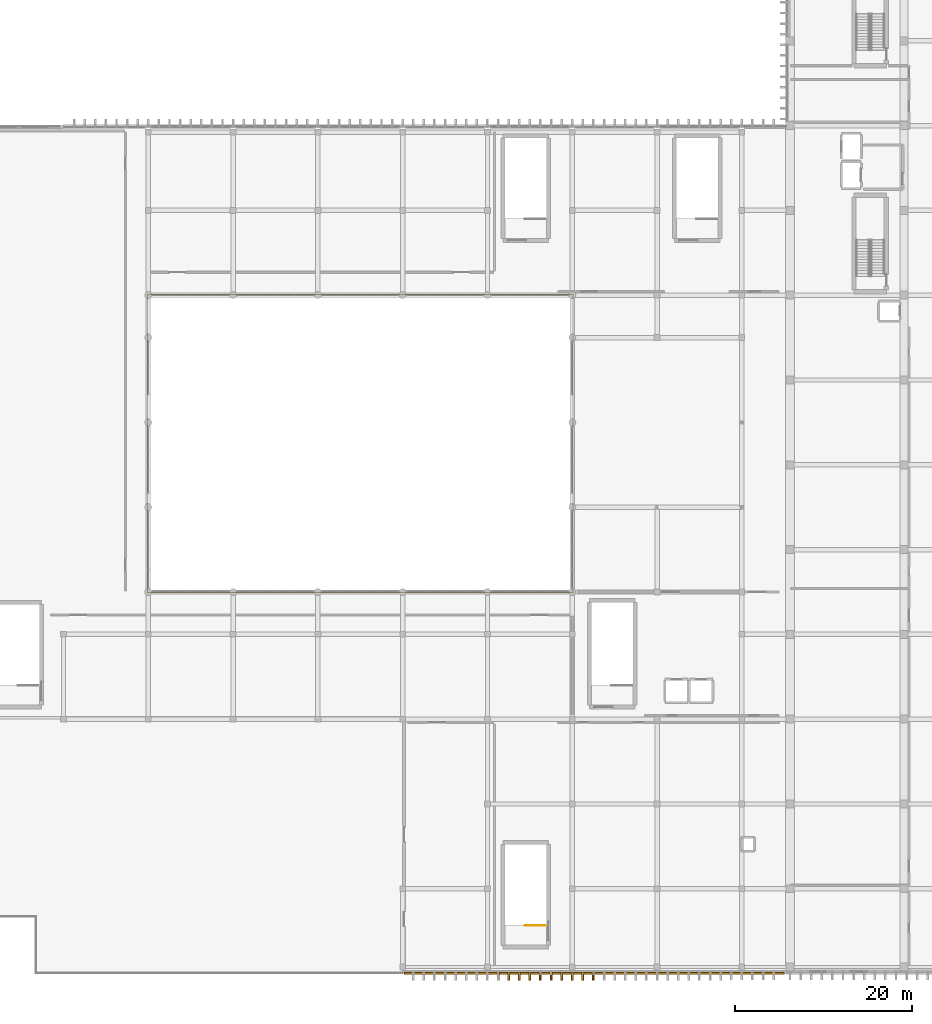
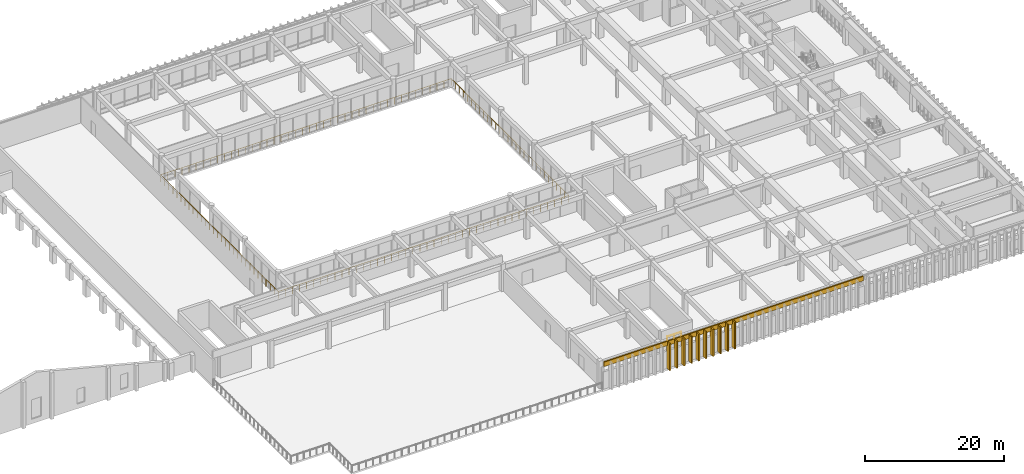
# One storey, part 90 of 101: 11 coverings, 9 shading devices, 2 railings.
"""IFC4 building model written with IfcOpenShell, lengths in metres."""

import ifcopenshell
import ifcopenshell.guid

model = None  # the IFC model being written
_history = None  # IfcOwnerHistory: only IFC2X3 demands one
_inside = {}  # id of a spatial element -> (the spatial element, [elements in it])
_under = {}  # id of a project, library or spatial element -> (it, [spatial elements below it])
_declared = {}  # id of a project -> (the project, [libraries it declares])
_typed = {}  # id of a type object -> (the type object, [elements of that type])
_made_of = {}  # id of a material, layer set ... -> (it, [elements and type objects made of it])


def new_model(schema):
    """Start an empty IFC model of exactly this schema.

    Asked for "IFC4X3", IfcOpenShell would pick the latest addendum, in which some entities
    have other attributes; the version numbers below select the first issue.
    IFC2X3 requires an IfcOwnerHistory on every rooted entity: one is made here for all.
    """
    global model, _history
    if schema == "IFC4X3":
        model = ifcopenshell.file(schema_version=(4, 3, 0, 0))
    else:
        model = ifcopenshell.file(schema=schema)
    _inside.clear()
    _under.clear()
    _declared.clear()
    _typed.clear()
    _made_of.clear()
    _history = None
    if model.schema == "IFC2X3":
        org = make("IfcOrganization", Name="unknown")
        user = make(
            "IfcPersonAndOrganization",
            ThePerson=make("IfcPerson", FamilyName="unknown"),
            TheOrganization=org,
        )
        app = make(
            "IfcApplication",
            ApplicationDeveloper=org,
            Version="unknown",
            ApplicationFullName="unknown",
            ApplicationIdentifier="unknown",
        )
        _history = make(
            "IfcOwnerHistory",
            OwningUser=user,
            OwningApplication=app,
            ChangeAction="ADDED",
            CreationDate=0,
        )
    return model


def make(cls, **values):
    """One entity of the class cls with the attributes given. An attribute that is None is left unset."""
    return model.create_entity(
        cls, **{name: value for name, value in values.items() if value is not None}
    )


def rooted(cls, **values):
    """An entity with a GlobalId (a new one), such as an element, a storey or a relation."""
    return make(cls, GlobalId=ifcopenshell.guid.new(), OwnerHistory=_history, **values)


def si_unit(unit_type, name, prefix=None):
    """IfcSIUnit, for example si_unit("LENGTHUNIT", "METRE", prefix="MILLI")."""
    return make("IfcSIUnit", UnitType=unit_type, Prefix=prefix, Name=name)


def assignment(units):
    """IfcUnitAssignment: the units of a project."""
    return None if units is None else make("IfcUnitAssignment", Units=units)


def point(xyz):
    """IfcCartesianPoint."""
    return None if xyz is None else make("IfcCartesianPoint", Coordinates=xyz)


def direction(xyz):
    """IfcDirection."""
    return None if xyz is None else make("IfcDirection", DirectionRatios=xyz)


def frame(location, z_axis=None, x_axis=None):
    """IfcAxis2Placement3D, a coordinate frame: its origin and axes. An axis left out is left unset."""
    return make(
        "IfcAxis2Placement3D",
        Location=point(location),
        Axis=direction(z_axis),
        RefDirection=direction(x_axis),
    )


def frame_2d(location, x_axis=None):
    """IfcAxis2Placement2D, a coordinate frame in the plane: its origin and x axis."""
    return make(
        "IfcAxis2Placement2D", Location=point(location), RefDirection=direction(x_axis)
    )


def origin():
    """The frame at (0, 0, 0) with its axes left unset."""
    return frame((0.0, 0.0, 0.0))


def origin_2d():
    """The frame at (0, 0) in the plane with its x axis left unset."""
    return frame_2d((0.0, 0.0))


def place(relative_to, where):
    """IfcLocalPlacement: puts the frame where relative to a parent placement (None: the world)."""
    return make(
        "IfcLocalPlacement", PlacementRelTo=relative_to, RelativePlacement=where
    )


def context(
    kind, dimensions, precision=None, world=None, true_north=None, identifier=None
):
    """IfcGeometricRepresentationContext, for example the 3D "Model" context."""
    return make(
        "IfcGeometricRepresentationContext",
        ContextIdentifier=identifier,
        ContextType=kind,
        CoordinateSpaceDimension=dimensions,
        Precision=precision,
        WorldCoordinateSystem=world,
        TrueNorth=true_north,
    )


def subcontext(parent, identifier, kind, view, scale=None):
    """IfcGeometricRepresentationSubContext, for example "Body" below "Model"."""
    return make(
        "IfcGeometricRepresentationSubContext",
        ContextIdentifier=identifier,
        ContextType=kind,
        ParentContext=parent,
        TargetScale=scale,
        TargetView=view,
    )


def project(units=None, contexts=None):
    """IfcProject with its units and contexts."""
    return rooted(
        "IfcProject",
        Name="project",
        RepresentationContexts=contexts,
        UnitsInContext=assignment(units),
    )


def spatial(cls, under=None, at=None, **own):
    """A site, building, storey or space (cls), placed at a placement, below another one or the project."""
    s = rooted(cls, ObjectPlacement=at, **own)
    if under is not None:
        _under.setdefault(under.id(), (under, []))[1].append(s)
    return s


def profile(cls, at=None, kind="AREA", **sizes):
    """A parametric profile (cls). Its sizes go by their IFC names, for example OverallWidth=200.0."""
    return make(cls, ProfileType=kind, Position=at, **sizes)


def rectangle(**sizes):
    """IfcRectangleProfileDef."""
    return profile("IfcRectangleProfileDef", **sizes)


def circle(**sizes):
    """IfcCircleProfileDef."""
    return profile("IfcCircleProfileDef", **sizes)


def extrude(swept, where, along, depth):
    """IfcExtrudedAreaSolid: the profile swept, set in the frame where, extruded along a direction by depth."""
    return make(
        "IfcExtrudedAreaSolid",
        SweptArea=swept,
        Position=where,
        ExtrudedDirection=direction(along),
        Depth=depth,
    )


def shape(context_of_items, identifier, shape_type, items):
    """IfcShapeRepresentation: the items that make up one representation, for example the "Body"."""
    return make(
        "IfcShapeRepresentation",
        ContextOfItems=context_of_items,
        RepresentationIdentifier=identifier,
        RepresentationType=shape_type,
        Items=items,
    )


def material(Name=None, Category=None):
    """IfcMaterial."""
    return make("IfcMaterial", Name=Name, Category=Category)


def layer(
    of_material, thickness, ventilated=None, Name=None, Category=None, Priority=None
):
    """IfcMaterialLayer: one layer of a wall or slab, of a material (None: an air gap)."""
    return make(
        "IfcMaterialLayer",
        Material=of_material,
        LayerThickness=thickness,
        IsVentilated=ventilated,
        Name=Name,
        Category=Category,
        Priority=Priority,
    )


def layer_set(layers, Name=None):
    """IfcMaterialLayerSet."""
    return make("IfcMaterialLayerSet", MaterialLayers=layers, LayerSetName=Name)


def made_of(thing, what):
    """Note that an element or type object is made of a material, layer set ...; save() writes the relation."""
    if what is not None:
        _made_of.setdefault(what.id(), (what, []))[1].append(thing)
    return thing


def type_object(cls, material=None, **own):
    """A type object (cls), such as IfcWallType, which elements share."""
    return made_of(rooted(cls, **own), material)


def element(
    cls,
    number,
    at=None,
    inside=None,
    cuts=None,
    type_object=None,
    material=None,
    context=None,
    identifier="Body",
    shape_type=None,
    held_by="IfcProductDefinitionShape",
    body=None,
    shapes=None,
    **own,
):
    """One element of the class cls, such as IfcWall. Its Tag is "e" and its number.

    at: its placement. inside: the storey or other place that contains it. cuts: it is an
    opening in that element (IfcRelVoidsElement). A single representation is given by context,
    identifier, shape_type and body (its items); several are given by shapes. held_by: the class
    of the entity that holds the representations. save() writes the other relations.
    """
    e = rooted(cls, Tag="e%d" % number, ObjectPlacement=at, **own)
    if body is not None:
        shapes = [shape(context, identifier, shape_type, body)]
    if shapes is not None:
        e.Representation = make(held_by, Representations=shapes)
    if inside is not None:
        _inside.setdefault(inside.id(), (inside, []))[1].append(e)
    if cuts is not None:
        rooted(
            "IfcRelVoidsElement", RelatingBuildingElement=cuts, RelatedOpeningElement=e
        )
    if type_object is not None:
        _typed.setdefault(type_object.id(), (type_object, []))[1].append(e)
    return made_of(e, material)


def aggregate(whole, parts):
    """IfcRelAggregates: a whole, such as a stair, and the parts it consists of."""
    return rooted("IfcRelAggregates", RelatingObject=whole, RelatedObjects=parts)


def save(model, path):
    """Write the relations noted so far, then the file.

    IfcRelAggregates (storeys below a building ...), IfcRelContainedInSpatialStructure (elements
    in a storey), IfcRelDefinesByType, IfcRelAssociatesMaterial and IfcRelDeclares: one each for
    every whole, place, type object, material and project.
    """
    for whole, parts in _under.values():
        aggregate(whole, parts)
    for where, things in _inside.values():
        rooted(
            "IfcRelContainedInSpatialStructure",
            RelatedElements=things,
            RelatingStructure=where,
        )
    for kind, things in _typed.values():
        rooted("IfcRelDefinesByType", RelatedObjects=things, RelatingType=kind)
    for what, things in _made_of.values():
        rooted("IfcRelAssociatesMaterial", RelatedObjects=things, RelatingMaterial=what)
    for by, libraries in _declared.values():
        rooted("IfcRelDeclares", RelatingContext=by, RelatedDefinitions=libraries)
    model.write(path)


model = new_model("IFC4")

# Units and contexts
model_context = context("Model", 3, precision=1e-05, world=origin(), true_north=direction((0.0, 1.0)))
body_context = subcontext(model_context, "Body", "Model", "MODEL_VIEW")
ifc_project = project(units=[si_unit("LENGTHUNIT", "METRE"), si_unit("AREAUNIT", "SQUARE_METRE"), si_unit("VOLUMEUNIT", "CUBIC_METRE"), si_unit("PLANEANGLEUNIT", "RADIAN"), si_unit("MASSUNIT", "GRAM", prefix="KILO")], contexts=[model_context])

# Site, building, storey
site_placement = place(None, origin())
site = spatial("IfcSite", under=ifc_project, at=site_placement, CompositionType="ELEMENT")
building_placement = place(site_placement, origin())
building = spatial("IfcBuilding", under=site, at=building_placement, Name="Nakhvara Creek Congress Hotel", CompositionType="ELEMENT")
storey_placement = place(building_placement, frame((0.0, 0.0, 16.199951171875)))
storey = spatial("IfcBuildingStorey", under=building, at=storey_placement, Name="L03", CompositionType="ELEMENT", Elevation=16.199951171875)

# Coverings
ifc_material_1 = material(Name="Honed pale Omani limestone architectural cladding", Category="masonry")
ifc_layer_1 = layer(ifc_material_1, 0.219970703125)
ifc_layer_set_1 = layer_set([ifc_layer_1], Name="Honed pale Omani limestone architectural cladding")
covering_type_1 = type_object("IfcCoveringType", Name="COV-FIN-850", PredefinedType="CLADDING", material=ifc_layer_set_1)
for number, where, z_axis, x_axis, name in (
    (1, (116.39990234375, -0.304931640625, 0.0), (0.0, 0.0, 1.0), (1.0, 0.0, 0.0), "Pale Limestone Fin Cladding CF01-0304"),
    (2, (117.60009765625, -0.304931640625, 0.0), (0.0, 0.0, 1.0), (1.0, 0.0, 0.0), "Pale Limestone Fin Cladding CF01-0305"),
    (3, (118.800048828125, -0.304931640625, 0.0), (0.0, 0.0, 1.0), (1.0, 0.0, 0.0), "Pale Limestone Fin Cladding CF01-0306"),
    (4, (120.0, -0.304931640625, 0.0), (0.0, 0.0, 1.0), (1.0, 0.0, 0.0), "Pale Limestone Fin Cladding CF01-0307"),
    (5, (121.199951171875, -0.304931640625, 0.0), (0.0, 0.0, 1.0), (1.0, 0.0, 0.0), "Pale Limestone Fin Cladding CF01-0308"),
    (6, (122.39990234375, -0.304931640625, 0.0), (0.0, 0.0, 1.0), (1.0, 0.0, 0.0), "Pale Limestone Fin Cladding CF01-0309"),
    (7, (123.60009765625, -0.304931640625, 0.0), (0.0, 0.0, 1.0), (1.0, 0.0, 0.0), "Pale Limestone Fin Cladding CF01-0310"),
    (8, (124.800048828125, -0.304931640625, 0.0), (0.0, 0.0, 1.0), (1.0, 0.0, 0.0), "Pale Limestone Fin Cladding CF01-0311"),
    (9, (126.0, -0.304931640625, 0.0), (0.0, 0.0, 1.0), (1.0, 0.0, 0.0), "Pale Limestone Fin Cladding CF01-0312"),
    (10, (127.199951171875, -0.304931640625, 0.0), (0.0, 0.0, 1.0), (1.0, 0.0, 0.0), "Pale Limestone Fin Cladding CF01-0313"),
):
    element("IfcCovering", number, at=place(storey_placement, frame(where, z_axis=z_axis, x_axis=x_axis)), inside=storey, type_object=covering_type_1, Name=name, PredefinedType="CLADDING", context=body_context, shape_type="SweptSolid", body=[
        extrude(rectangle(XDim=0.219970703125, YDim=0.85009765625, at=origin_2d()), origin(), (0.0, 0.0, 1.0), 4.719970703125),
    ])
ifc_layer_2 = layer(ifc_material_1, 0.179931640625)
ifc_layer_set_2 = layer_set([ifc_layer_2], Name="Honed pale Omani limestone architectural cladding")
covering_type_2 = type_object("IfcCoveringType", Name="COV-SPN-180", PredefinedType="CLADDING", material=ifc_layer_set_2)
covering_placement = place(storey_placement, frame((127.300048828125, 0.010009765625, 4.0400390625), z_axis=(0.0, 0.0, 1.0), x_axis=(1.0, 0.0, 0.0)))
element("IfcCovering", 11, at=covering_placement, inside=storey, type_object=covering_type_2, Name="Pale Limestone Spandrel Band CF02-0031", PredefinedType="CLADDING", context=body_context, shape_type="SweptSolid", body=[
    extrude(rectangle(XDim=43.0, YDim=0.219970703125, at=origin_2d()), origin(), (0.0, 0.0, 1.0), 0.780029296875),
])

# Railings
ifc_material_2 = material(Name="Brushed stainless steel 316L", Category="steel")
railing_type = type_object("IfcRailingType", Name="RL-GUARD-1200", PredefinedType="GUARDRAIL", material=ifc_material_2)
railing_1_placement = place(storey_placement, frame((76.719970703125, 43.1201171875, 0.0)))
element("IfcRailing", 12, at=railing_1_placement, inside=storey, type_object=railing_type, Name="Cloister Courtyard Perimeter Guardrail L03", PredefinedType="GUARDRAIL", context=body_context, shape_type="SweptSolid", body=[
    extrude(circle(Radius=0.02392578125, at=origin_2d()), frame((0.0146484375, 0.0, 1.17578125), z_axis=(1.0, 0.0, 0.0), x_axis=(0.0, 1.0, 0.0)), (0.0, 0.0, 1.0), 48.130615234375),
    extrude(circle(Radius=0.02392578125, at=origin_2d()), frame((48.159912109375, 0.0146484375, 1.17578125), z_axis=(0.0, 1.0, 0.0), x_axis=(-1.0, 0.0, 0.0)), (0.0, 0.0, 1.0), 33.73046875),
    extrude(circle(Radius=0.02392578125, at=origin_2d()), frame((48.145263671875, 33.759765625, 1.17578125), z_axis=(-1.0, 0.0, 0.0), x_axis=(0.0, -1.0, 0.0)), (0.0, 0.0, 1.0), 48.130615234375),
    extrude(circle(Radius=0.02392578125, at=origin_2d()), frame((0.0, 33.7451171875, 1.17578125), z_axis=(0.0, -1.0, 0.0), x_axis=(1.0, 0.0, 0.0)), (0.0, 0.0, 1.0), 33.73046875),
    extrude(circle(Radius=0.02099609375, at=origin_2d()), origin(), (0.0, 0.0, 1.0), 1.1806640625),
    extrude(circle(Radius=0.02099609375, at=origin_2d()), frame((1.174560546875, 0.0, 0.0)), (0.0, 0.0, 1.0), 1.1806640625),
    extrude(circle(Radius=0.02099609375, at=origin_2d()), frame((2.349365234375, 0.0, 0.0)), (0.0, 0.0, 1.0), 1.1806640625),
    extrude(circle(Radius=0.02099609375, at=origin_2d()), frame((3.52392578125, 0.0, 0.0)), (0.0, 0.0, 1.0), 1.1806640625),
    extrude(circle(Radius=0.02099609375, at=origin_2d()), frame((4.698486328125, 0.0, 0.0)), (0.0, 0.0, 1.0), 1.1806640625),
    extrude(circle(Radius=0.02099609375, at=origin_2d()), frame((5.873046875, 0.0, 0.0)), (0.0, 0.0, 1.0), 1.1806640625),
    extrude(circle(Radius=0.02099609375, at=origin_2d()), frame((7.0478515625, 0.0, 0.0)), (0.0, 0.0, 1.0), 1.1806640625),
    extrude(circle(Radius=0.02099609375, at=origin_2d()), frame((8.222412109375, 0.0, 0.0)), (0.0, 0.0, 1.0), 1.1806640625),
    extrude(circle(Radius=0.02099609375, at=origin_2d()), frame((9.39697265625, 0.0, 0.0)), (0.0, 0.0, 1.0), 1.1806640625),
    extrude(circle(Radius=0.02099609375, at=origin_2d()), frame((10.57177734375, 0.0, 0.0)), (0.0, 0.0, 1.0), 1.1806640625),
    extrude(circle(Radius=0.02099609375, at=origin_2d()), frame((11.746337890625, 0.0, 0.0)), (0.0, 0.0, 1.0), 1.1806640625),
    extrude(circle(Radius=0.02099609375, at=origin_2d()), frame((12.9208984375, 0.0, 0.0)), (0.0, 0.0, 1.0), 1.1806640625),
    extrude(circle(Radius=0.02099609375, at=origin_2d()), frame((14.095703125, 0.0, 0.0)), (0.0, 0.0, 1.0), 1.1806640625),
    extrude(circle(Radius=0.02099609375, at=origin_2d()), frame((15.270263671875, 0.0, 0.0)), (0.0, 0.0, 1.0), 1.1806640625),
    extrude(circle(Radius=0.02099609375, at=origin_2d()), frame((16.44482421875, 0.0, 0.0)), (0.0, 0.0, 1.0), 1.1806640625),
    extrude(circle(Radius=0.02099609375, at=origin_2d()), frame((17.619384765625, 0.0, 0.0)), (0.0, 0.0, 1.0), 1.1806640625),
    extrude(circle(Radius=0.02099609375, at=origin_2d()), frame((18.794189453125, 0.0, 0.0)), (0.0, 0.0, 1.0), 1.1806640625),
    extrude(circle(Radius=0.02099609375, at=origin_2d()), frame((19.96875, 0.0, 0.0)), (0.0, 0.0, 1.0), 1.1806640625),
    extrude(circle(Radius=0.02099609375, at=origin_2d()), frame((21.143310546875, 0.0, 0.0)), (0.0, 0.0, 1.0), 1.1806640625),
    extrude(circle(Radius=0.02099609375, at=origin_2d()), frame((22.318115234375, 0.0, 0.0)), (0.0, 0.0, 1.0), 1.1806640625),
    extrude(circle(Radius=0.02099609375, at=origin_2d()), frame((23.49267578125, 0.0, 0.0)), (0.0, 0.0, 1.0), 1.1806640625),
    extrude(circle(Radius=0.02099609375, at=origin_2d()), frame((24.667236328125, 0.0, 0.0)), (0.0, 0.0, 1.0), 1.1806640625),
    extrude(circle(Radius=0.02099609375, at=origin_2d()), frame((25.841796875, 0.0, 0.0)), (0.0, 0.0, 1.0), 1.1806640625),
    extrude(circle(Radius=0.02099609375, at=origin_2d()), frame((27.0166015625, 0.0, 0.0)), (0.0, 0.0, 1.0), 1.1806640625),
    extrude(circle(Radius=0.02099609375, at=origin_2d()), frame((28.191162109375, 0.0, 0.0)), (0.0, 0.0, 1.0), 1.1806640625),
    extrude(circle(Radius=0.02099609375, at=origin_2d()), frame((29.36572265625, 0.0, 0.0)), (0.0, 0.0, 1.0), 1.1806640625),
    extrude(circle(Radius=0.02099609375, at=origin_2d()), frame((30.54052734375, 0.0, 0.0)), (0.0, 0.0, 1.0), 1.1806640625),
    extrude(circle(Radius=0.02099609375, at=origin_2d()), frame((31.715087890625, 0.0, 0.0)), (0.0, 0.0, 1.0), 1.1806640625),
    extrude(circle(Radius=0.02099609375, at=origin_2d()), frame((32.8896484375, 0.0, 0.0)), (0.0, 0.0, 1.0), 1.1806640625),
    extrude(circle(Radius=0.02099609375, at=origin_2d()), frame((34.064208984375, 0.0, 0.0)), (0.0, 0.0, 1.0), 1.1806640625),
    extrude(circle(Radius=0.02099609375, at=origin_2d()), frame((35.239013671875, 0.0, 0.0)), (0.0, 0.0, 1.0), 1.1806640625),
    extrude(circle(Radius=0.02099609375, at=origin_2d()), frame((36.41357421875, 0.0, 0.0)), (0.0, 0.0, 1.0), 1.1806640625),
    extrude(circle(Radius=0.02099609375, at=origin_2d()), frame((37.588134765625, 0.0, 0.0)), (0.0, 0.0, 1.0), 1.1806640625),
    extrude(circle(Radius=0.02099609375, at=origin_2d()), frame((38.762939453125, 0.0, 0.0)), (0.0, 0.0, 1.0), 1.1806640625),
    extrude(circle(Radius=0.02099609375, at=origin_2d()), frame((39.9375, 0.0, 0.0)), (0.0, 0.0, 1.0), 1.1806640625),
    extrude(circle(Radius=0.02099609375, at=origin_2d()), frame((41.112060546875, 0.0, 0.0)), (0.0, 0.0, 1.0), 1.1806640625),
    extrude(circle(Radius=0.02099609375, at=origin_2d()), frame((42.286865234375, 0.0, 0.0)), (0.0, 0.0, 1.0), 1.1806640625),
    extrude(circle(Radius=0.02099609375, at=origin_2d()), frame((43.46142578125, 0.0, 0.0)), (0.0, 0.0, 1.0), 1.1806640625),
    extrude(circle(Radius=0.02099609375, at=origin_2d()), frame((44.635986328125, 0.0, 0.0)), (0.0, 0.0, 1.0), 1.1806640625),
    extrude(circle(Radius=0.02099609375, at=origin_2d()), frame((45.810546875, 0.0, 0.0)), (0.0, 0.0, 1.0), 1.1806640625),
    extrude(circle(Radius=0.02099609375, at=origin_2d()), frame((46.9853515625, 0.0, 0.0)), (0.0, 0.0, 1.0), 1.1806640625),
    extrude(circle(Radius=0.02099609375, at=origin_2d()), frame((48.159912109375, 0.0, 0.0)), (0.0, 0.0, 1.0), 1.1806640625),
    extrude(circle(Radius=0.02099609375, at=origin_2d()), frame((48.159912109375, 1.1640625, 0.0)), (0.0, 0.0, 1.0), 1.1806640625),
    extrude(circle(Radius=0.02099609375, at=origin_2d()), frame((48.159912109375, 2.328369140625, 0.0)), (0.0, 0.0, 1.0), 1.1806640625),
    extrude(circle(Radius=0.02099609375, at=origin_2d()), frame((48.159912109375, 3.492431640625, 0.0)), (0.0, 0.0, 1.0), 1.1806640625),
    extrude(circle(Radius=0.02099609375, at=origin_2d()), frame((48.159912109375, 4.656494140625, 0.0)), (0.0, 0.0, 1.0), 1.1806640625),
    extrude(circle(Radius=0.02099609375, at=origin_2d()), frame((48.159912109375, 5.820556640625, 0.0)), (0.0, 0.0, 1.0), 1.1806640625),
    extrude(circle(Radius=0.02099609375, at=origin_2d()), frame((48.159912109375, 6.98486328125, 0.0)), (0.0, 0.0, 1.0), 1.1806640625),
    extrude(circle(Radius=0.02099609375, at=origin_2d()), frame((48.159912109375, 8.14892578125, 0.0)), (0.0, 0.0, 1.0), 1.1806640625),
    extrude(circle(Radius=0.02099609375, at=origin_2d()), frame((48.159912109375, 9.31298828125, 0.0)), (0.0, 0.0, 1.0), 1.1806640625),
    extrude(circle(Radius=0.02099609375, at=origin_2d()), frame((48.159912109375, 10.47705078125, 0.0)), (0.0, 0.0, 1.0), 1.1806640625),
    extrude(circle(Radius=0.02099609375, at=origin_2d()), frame((48.159912109375, 11.641357421875, 0.0)), (0.0, 0.0, 1.0), 1.1806640625),
    extrude(circle(Radius=0.02099609375, at=origin_2d()), frame((48.159912109375, 12.805419921875, 0.0)), (0.0, 0.0, 1.0), 1.1806640625),
    extrude(circle(Radius=0.02099609375, at=origin_2d()), frame((48.159912109375, 13.969482421875, 0.0)), (0.0, 0.0, 1.0), 1.1806640625),
    extrude(circle(Radius=0.02099609375, at=origin_2d()), frame((48.159912109375, 15.1337890625, 0.0)), (0.0, 0.0, 1.0), 1.1806640625),
    extrude(circle(Radius=0.02099609375, at=origin_2d()), frame((48.159912109375, 16.2978515625, 0.0)), (0.0, 0.0, 1.0), 1.1806640625),
    extrude(circle(Radius=0.02099609375, at=origin_2d()), frame((48.159912109375, 17.4619140625, 0.0)), (0.0, 0.0, 1.0), 1.1806640625),
    extrude(circle(Radius=0.02099609375, at=origin_2d()), frame((48.159912109375, 18.6259765625, 0.0)), (0.0, 0.0, 1.0), 1.1806640625),
    extrude(circle(Radius=0.02099609375, at=origin_2d()), frame((48.159912109375, 19.790283203125, 0.0)), (0.0, 0.0, 1.0), 1.1806640625),
    extrude(circle(Radius=0.02099609375, at=origin_2d()), frame((48.159912109375, 20.954345703125, 0.0)), (0.0, 0.0, 1.0), 1.1806640625),
    extrude(circle(Radius=0.02099609375, at=origin_2d()), frame((48.159912109375, 22.118408203125, 0.0)), (0.0, 0.0, 1.0), 1.1806640625),
    extrude(circle(Radius=0.02099609375, at=origin_2d()), frame((48.159912109375, 23.28271484375, 0.0)), (0.0, 0.0, 1.0), 1.1806640625),
    extrude(circle(Radius=0.02099609375, at=origin_2d()), frame((48.159912109375, 24.44677734375, 0.0)), (0.0, 0.0, 1.0), 1.1806640625),
    extrude(circle(Radius=0.02099609375, at=origin_2d()), frame((48.159912109375, 25.61083984375, 0.0)), (0.0, 0.0, 1.0), 1.1806640625),
    extrude(circle(Radius=0.02099609375, at=origin_2d()), frame((48.159912109375, 26.77490234375, 0.0)), (0.0, 0.0, 1.0), 1.1806640625),
    extrude(circle(Radius=0.02099609375, at=origin_2d()), frame((48.159912109375, 27.939208984375, 0.0)), (0.0, 0.0, 1.0), 1.1806640625),
    extrude(circle(Radius=0.02099609375, at=origin_2d()), frame((48.159912109375, 29.103271484375, 0.0)), (0.0, 0.0, 1.0), 1.1806640625),
    extrude(circle(Radius=0.02099609375, at=origin_2d()), frame((48.159912109375, 30.267333984375, 0.0)), (0.0, 0.0, 1.0), 1.1806640625),
    extrude(circle(Radius=0.02099609375, at=origin_2d()), frame((48.159912109375, 31.431396484375, 0.0)), (0.0, 0.0, 1.0), 1.1806640625),
    extrude(circle(Radius=0.02099609375, at=origin_2d()), frame((48.159912109375, 32.595703125, 0.0)), (0.0, 0.0, 1.0), 1.1806640625),
    extrude(circle(Radius=0.02099609375, at=origin_2d()), frame((48.159912109375, 33.759765625, 0.0)), (0.0, 0.0, 1.0), 1.1806640625),
    extrude(circle(Radius=0.02099609375, at=origin_2d()), frame((46.9853515625, 33.759765625, 0.0)), (0.0, 0.0, 1.0), 1.1806640625),
    extrude(circle(Radius=0.02099609375, at=origin_2d()), frame((45.810546875, 33.759765625, 0.0)), (0.0, 0.0, 1.0), 1.1806640625),
    extrude(circle(Radius=0.02099609375, at=origin_2d()), frame((44.635986328125, 33.759765625, 0.0)), (0.0, 0.0, 1.0), 1.1806640625),
    extrude(circle(Radius=0.02099609375, at=origin_2d()), frame((43.46142578125, 33.759765625, 0.0)), (0.0, 0.0, 1.0), 1.1806640625),
    extrude(circle(Radius=0.02099609375, at=origin_2d()), frame((42.286865234375, 33.759765625, 0.0)), (0.0, 0.0, 1.0), 1.1806640625),
    extrude(circle(Radius=0.02099609375, at=origin_2d()), frame((41.112060546875, 33.759765625, 0.0)), (0.0, 0.0, 1.0), 1.1806640625),
    extrude(circle(Radius=0.02099609375, at=origin_2d()), frame((39.9375, 33.759765625, 0.0)), (0.0, 0.0, 1.0), 1.1806640625),
    extrude(circle(Radius=0.02099609375, at=origin_2d()), frame((38.762939453125, 33.759765625, 0.0)), (0.0, 0.0, 1.0), 1.1806640625),
    extrude(circle(Radius=0.02099609375, at=origin_2d()), frame((37.588134765625, 33.759765625, 0.0)), (0.0, 0.0, 1.0), 1.1806640625),
    extrude(circle(Radius=0.02099609375, at=origin_2d()), frame((36.41357421875, 33.759765625, 0.0)), (0.0, 0.0, 1.0), 1.1806640625),
    extrude(circle(Radius=0.02099609375, at=origin_2d()), frame((35.239013671875, 33.759765625, 0.0)), (0.0, 0.0, 1.0), 1.1806640625),
    extrude(circle(Radius=0.02099609375, at=origin_2d()), frame((34.064208984375, 33.759765625, 0.0)), (0.0, 0.0, 1.0), 1.1806640625),
    extrude(circle(Radius=0.02099609375, at=origin_2d()), frame((32.8896484375, 33.759765625, 0.0)), (0.0, 0.0, 1.0), 1.1806640625),
    extrude(circle(Radius=0.02099609375, at=origin_2d()), frame((31.715087890625, 33.759765625, 0.0)), (0.0, 0.0, 1.0), 1.1806640625),
    extrude(circle(Radius=0.02099609375, at=origin_2d()), frame((30.54052734375, 33.759765625, 0.0)), (0.0, 0.0, 1.0), 1.1806640625),
    extrude(circle(Radius=0.02099609375, at=origin_2d()), frame((29.36572265625, 33.759765625, 0.0)), (0.0, 0.0, 1.0), 1.1806640625),
    extrude(circle(Radius=0.02099609375, at=origin_2d()), frame((28.191162109375, 33.759765625, 0.0)), (0.0, 0.0, 1.0), 1.1806640625),
    extrude(circle(Radius=0.02099609375, at=origin_2d()), frame((27.0166015625, 33.759765625, 0.0)), (0.0, 0.0, 1.0), 1.1806640625),
    extrude(circle(Radius=0.02099609375, at=origin_2d()), frame((25.841796875, 33.759765625, 0.0)), (0.0, 0.0, 1.0), 1.1806640625),
    extrude(circle(Radius=0.02099609375, at=origin_2d()), frame((24.667236328125, 33.759765625, 0.0)), (0.0, 0.0, 1.0), 1.1806640625),
    extrude(circle(Radius=0.02099609375, at=origin_2d()), frame((23.49267578125, 33.759765625, 0.0)), (0.0, 0.0, 1.0), 1.1806640625),
    extrude(circle(Radius=0.02099609375, at=origin_2d()), frame((22.318115234375, 33.759765625, 0.0)), (0.0, 0.0, 1.0), 1.1806640625),
    extrude(circle(Radius=0.02099609375, at=origin_2d()), frame((21.143310546875, 33.759765625, 0.0)), (0.0, 0.0, 1.0), 1.1806640625),
    extrude(circle(Radius=0.02099609375, at=origin_2d()), frame((19.96875, 33.759765625, 0.0)), (0.0, 0.0, 1.0), 1.1806640625),
    extrude(circle(Radius=0.02099609375, at=origin_2d()), frame((18.794189453125, 33.759765625, 0.0)), (0.0, 0.0, 1.0), 1.1806640625),
    extrude(circle(Radius=0.02099609375, at=origin_2d()), frame((17.619384765625, 33.759765625, 0.0)), (0.0, 0.0, 1.0), 1.1806640625),
    extrude(circle(Radius=0.02099609375, at=origin_2d()), frame((16.44482421875, 33.759765625, 0.0)), (0.0, 0.0, 1.0), 1.1806640625),
    extrude(circle(Radius=0.02099609375, at=origin_2d()), frame((15.270263671875, 33.759765625, 0.0)), (0.0, 0.0, 1.0), 1.1806640625),
    extrude(circle(Radius=0.02099609375, at=origin_2d()), frame((14.095703125, 33.759765625, 0.0)), (0.0, 0.0, 1.0), 1.1806640625),
    extrude(circle(Radius=0.02099609375, at=origin_2d()), frame((12.9208984375, 33.759765625, 0.0)), (0.0, 0.0, 1.0), 1.1806640625),
    extrude(circle(Radius=0.02099609375, at=origin_2d()), frame((11.746337890625, 33.759765625, 0.0)), (0.0, 0.0, 1.0), 1.1806640625),
    extrude(circle(Radius=0.02099609375, at=origin_2d()), frame((10.57177734375, 33.759765625, 0.0)), (0.0, 0.0, 1.0), 1.1806640625),
    extrude(circle(Radius=0.02099609375, at=origin_2d()), frame((9.39697265625, 33.759765625, 0.0)), (0.0, 0.0, 1.0), 1.1806640625),
    extrude(circle(Radius=0.02099609375, at=origin_2d()), frame((8.222412109375, 33.759765625, 0.0)), (0.0, 0.0, 1.0), 1.1806640625),
    extrude(circle(Radius=0.02099609375, at=origin_2d()), frame((7.0478515625, 33.759765625, 0.0)), (0.0, 0.0, 1.0), 1.1806640625),
    extrude(circle(Radius=0.02099609375, at=origin_2d()), frame((5.873046875, 33.759765625, 0.0)), (0.0, 0.0, 1.0), 1.1806640625),
    extrude(circle(Radius=0.02099609375, at=origin_2d()), frame((4.698486328125, 33.759765625, 0.0)), (0.0, 0.0, 1.0), 1.1806640625),
    extrude(circle(Radius=0.02099609375, at=origin_2d()), frame((3.52392578125, 33.759765625, 0.0)), (0.0, 0.0, 1.0), 1.1806640625),
    extrude(circle(Radius=0.02099609375, at=origin_2d()), frame((2.349365234375, 33.759765625, 0.0)), (0.0, 0.0, 1.0), 1.1806640625),
    extrude(circle(Radius=0.02099609375, at=origin_2d()), frame((1.174560546875, 33.759765625, 0.0)), (0.0, 0.0, 1.0), 1.1806640625),
    extrude(circle(Radius=0.02099609375, at=origin_2d()), frame((0.0, 33.759765625, 0.0)), (0.0, 0.0, 1.0), 1.1806640625),
    extrude(circle(Radius=0.02099609375, at=origin_2d()), frame((0.0, 32.595703125, 0.0)), (0.0, 0.0, 1.0), 1.1806640625),
    extrude(circle(Radius=0.02099609375, at=origin_2d()), frame((0.0, 31.431396484375, 0.0)), (0.0, 0.0, 1.0), 1.1806640625),
    extrude(circle(Radius=0.02099609375, at=origin_2d()), frame((0.0, 30.267333984375, 0.0)), (0.0, 0.0, 1.0), 1.1806640625),
    extrude(circle(Radius=0.02099609375, at=origin_2d()), frame((0.0, 29.103271484375, 0.0)), (0.0, 0.0, 1.0), 1.1806640625),
    extrude(circle(Radius=0.02099609375, at=origin_2d()), frame((0.0, 27.939208984375, 0.0)), (0.0, 0.0, 1.0), 1.1806640625),
    extrude(circle(Radius=0.02099609375, at=origin_2d()), frame((0.0, 26.77490234375, 0.0)), (0.0, 0.0, 1.0), 1.1806640625),
    extrude(circle(Radius=0.02099609375, at=origin_2d()), frame((0.0, 25.61083984375, 0.0)), (0.0, 0.0, 1.0), 1.1806640625),
    extrude(circle(Radius=0.02099609375, at=origin_2d()), frame((0.0, 24.44677734375, 0.0)), (0.0, 0.0, 1.0), 1.1806640625),
    extrude(circle(Radius=0.02099609375, at=origin_2d()), frame((0.0, 23.28271484375, 0.0)), (0.0, 0.0, 1.0), 1.1806640625),
    extrude(circle(Radius=0.02099609375, at=origin_2d()), frame((0.0, 22.118408203125, 0.0)), (0.0, 0.0, 1.0), 1.1806640625),
    extrude(circle(Radius=0.02099609375, at=origin_2d()), frame((0.0, 20.954345703125, 0.0)), (0.0, 0.0, 1.0), 1.1806640625),
    extrude(circle(Radius=0.02099609375, at=origin_2d()), frame((0.0, 19.790283203125, 0.0)), (0.0, 0.0, 1.0), 1.1806640625),
    extrude(circle(Radius=0.02099609375, at=origin_2d()), frame((0.0, 18.6259765625, 0.0)), (0.0, 0.0, 1.0), 1.1806640625),
    extrude(circle(Radius=0.02099609375, at=origin_2d()), frame((0.0, 17.4619140625, 0.0)), (0.0, 0.0, 1.0), 1.1806640625),
    extrude(circle(Radius=0.02099609375, at=origin_2d()), frame((0.0, 16.2978515625, 0.0)), (0.0, 0.0, 1.0), 1.1806640625),
    extrude(circle(Radius=0.02099609375, at=origin_2d()), frame((0.0, 15.1337890625, 0.0)), (0.0, 0.0, 1.0), 1.1806640625),
    extrude(circle(Radius=0.02099609375, at=origin_2d()), frame((0.0, 13.969482421875, 0.0)), (0.0, 0.0, 1.0), 1.1806640625),
    extrude(circle(Radius=0.02099609375, at=origin_2d()), frame((0.0, 12.805419921875, 0.0)), (0.0, 0.0, 1.0), 1.1806640625),
    extrude(circle(Radius=0.02099609375, at=origin_2d()), frame((0.0, 11.641357421875, 0.0)), (0.0, 0.0, 1.0), 1.1806640625),
    extrude(circle(Radius=0.02099609375, at=origin_2d()), frame((0.0, 10.47705078125, 0.0)), (0.0, 0.0, 1.0), 1.1806640625),
    extrude(circle(Radius=0.02099609375, at=origin_2d()), frame((0.0, 9.31298828125, 0.0)), (0.0, 0.0, 1.0), 1.1806640625),
    extrude(circle(Radius=0.02099609375, at=origin_2d()), frame((0.0, 8.14892578125, 0.0)), (0.0, 0.0, 1.0), 1.1806640625),
    extrude(circle(Radius=0.02099609375, at=origin_2d()), frame((0.0, 6.98486328125, 0.0)), (0.0, 0.0, 1.0), 1.1806640625),
    extrude(circle(Radius=0.02099609375, at=origin_2d()), frame((0.0, 5.820556640625, 0.0)), (0.0, 0.0, 1.0), 1.1806640625),
    extrude(circle(Radius=0.02099609375, at=origin_2d()), frame((0.0, 4.656494140625, 0.0)), (0.0, 0.0, 1.0), 1.1806640625),
    extrude(circle(Radius=0.02099609375, at=origin_2d()), frame((0.0, 3.492431640625, 0.0)), (0.0, 0.0, 1.0), 1.1806640625),
    extrude(circle(Radius=0.02099609375, at=origin_2d()), frame((0.0, 2.328369140625, 0.0)), (0.0, 0.0, 1.0), 1.1806640625),
    extrude(circle(Radius=0.02099609375, at=origin_2d()), frame((0.0, 1.1640625, 0.0)), (0.0, 0.0, 1.0), 1.1806640625),
])
railing_2_placement = place(storey_placement, frame((121.7900390625, 5.429931640625, 0.0)))
element("IfcRailing", 13, at=railing_2_placement, inside=storey, type_object=railing_type, Name="L03 ST12 top well guard 1", PredefinedType="GUARDRAIL", context=body_context, shape_type="SweptSolid", body=[
    extrude(circle(Radius=0.02392578125, at=origin_2d()), frame((-0.0146484375, 0.0, 1.17578125), z_axis=(-1.0, 0.0, 0.0), x_axis=(0.0, -1.0, 0.0)), (0.0, 0.0, 1.0), 2.310791015625),
    extrude(circle(Radius=0.02099609375, at=origin_2d()), origin(), (0.0, 0.0, 1.0), 1.1806640625),
    extrude(circle(Radius=0.02099609375, at=origin_2d()), frame((-1.169921875, 0.0, 0.0)), (0.0, 0.0, 1.0), 1.1806640625),
    extrude(circle(Radius=0.02099609375, at=origin_2d()), frame((-2.340087890625, 0.0, 0.0)), (0.0, 0.0, 1.0), 1.1806640625),
])

# Shading devices
ifc_material_3 = material(Name="Honed pale Omani limestone cladding on stainless steel spine", Category="masonry")
shading_device_type = type_object("IfcShadingDeviceType", Name="SHD-FIN-850X4700", PredefinedType="USERDEFINED", material=ifc_material_3)
for number, where, z_axis, x_axis, name in (
    (14, (117.60009765625, -0.304931640625, 0.0), (0.0, 0.0, 1.0), (1.0, 0.0, 0.0), "Limestone Solar Fin FN02-0305"),
    (15, (118.800048828125, -0.304931640625, 0.0), (0.0, 0.0, 1.0), (1.0, 0.0, 0.0), "Limestone Solar Fin FN02-0306"),
    (16, (120.0, -0.304931640625, 0.0), (0.0, 0.0, 1.0), (1.0, 0.0, 0.0), "Limestone Solar Fin FN02-0307"),
    (17, (121.199951171875, -0.304931640625, 0.0), (0.0, 0.0, 1.0), (1.0, 0.0, 0.0), "Limestone Solar Fin FN02-0308"),
    (18, (122.39990234375, -0.304931640625, 0.0), (0.0, 0.0, 1.0), (1.0, 0.0, 0.0), "Limestone Solar Fin FN02-0309"),
    (19, (123.60009765625, -0.304931640625, 0.0), (0.0, 0.0, 1.0), (1.0, 0.0, 0.0), "Limestone Solar Fin FN02-0310"),
    (20, (124.800048828125, -0.304931640625, 0.0), (0.0, 0.0, 1.0), (1.0, 0.0, 0.0), "Limestone Solar Fin FN02-0311"),
    (21, (126.0, -0.304931640625, 0.0), (0.0, 0.0, 1.0), (1.0, 0.0, 0.0), "Limestone Solar Fin FN02-0312"),
    (22, (127.199951171875, -0.304931640625, 0.0), (0.0, 0.0, 1.0), (1.0, 0.0, 0.0), "Limestone Solar Fin FN02-0313"),
):
    element("IfcShadingDevice", number, at=place(storey_placement, frame(where, z_axis=z_axis, x_axis=x_axis)), inside=storey, type_object=shading_device_type, Name=name, ObjectType="FIN", PredefinedType="USERDEFINED", context=body_context, shape_type="SweptSolid", body=[
        extrude(rectangle(XDim=0.199951171875, YDim=0.85009765625, at=origin_2d()), origin(), (0.0, 0.0, 1.0), 4.719970703125),
    ])

save(model, "model.ifc")
